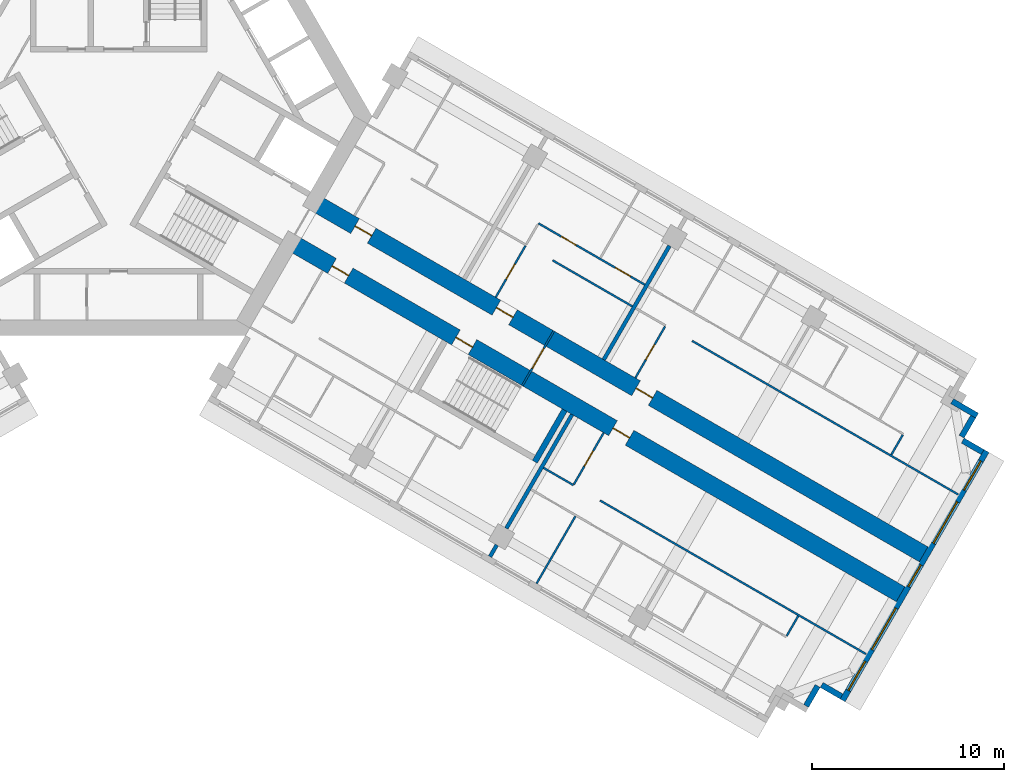
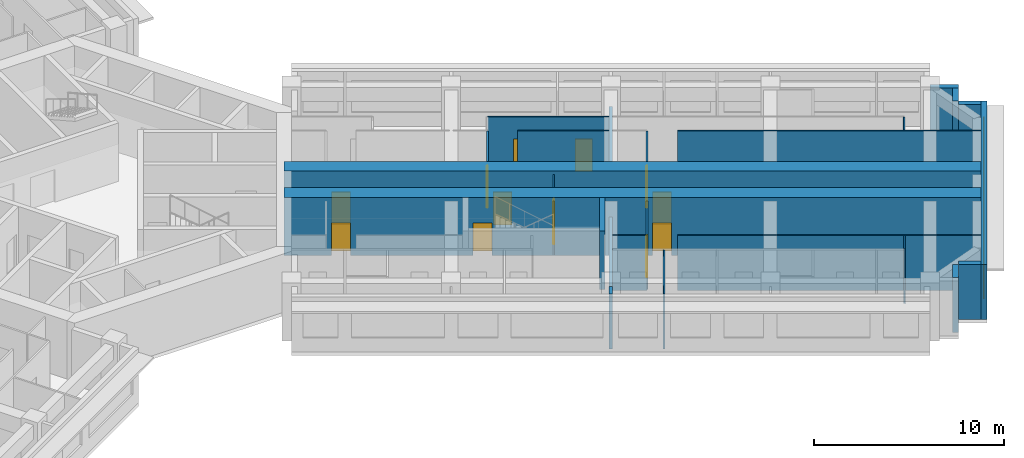
# One storey, part 11 of 14: 24 walls, 12 doors, 5 windows, 17 openings.
"""IFC4 building model written with IfcOpenShell, lengths in metres."""

from ifc_helpers import new_model, si_unit, direction, frame, frame_2d, origin, place, context, subcontext, project, spatial, rectangle, extrude, material, layer, layer_set, type_object, element, fill, save


model = new_model("IFC4")

# Units and contexts
model_context = context("Model", 3, precision=1e-05, world=origin(), true_north=direction((0.0, 1.0)))
body_context = subcontext(model_context, "Body", "Model", "MODEL_VIEW")
ifc_project = project(units=[si_unit("LENGTHUNIT", "METRE"), si_unit("AREAUNIT", "SQUARE_METRE"), si_unit("VOLUMEUNIT", "CUBIC_METRE"), si_unit("PLANEANGLEUNIT", "RADIAN"), si_unit("MASSUNIT", "GRAM", prefix="KILO")], contexts=[model_context])

# Site, building, storey
site_placement = place(None, origin())
site = spatial("IfcSite", under=ifc_project, at=site_placement, CompositionType="ELEMENT")
building_placement = place(site_placement, origin())
building = spatial("IfcBuilding", under=site, at=building_placement, Name="Impinga Residences", CompositionType="ELEMENT")
storey_placement = place(building_placement, frame((0.0, 0.0, 128.5)))
storey = spatial("IfcBuildingStorey", under=building, at=storey_placement, Name="L31", CompositionType="ELEMENT", Elevation=128.5)

# Wall, openings, doors
ifc_material_1 = material(Name="Concrete C60/75", Category="concrete")
ifc_layer_1 = layer(ifc_material_1, 0.89990234375)
ifc_layer_set_1 = layer_set([ifc_layer_1], Name="Concrete C60/75")
wall_type_1 = type_object("IfcWallType", Name="BW2 corridor buttress wall, L24 to L44 900", PredefinedType="SHEAR", material=ifc_layer_set_1)
wall_1_placement = place(storey_placement, frame((10.153564453125, -4.4765625, 0.0), z_axis=(0.0, 0.0, 1.0), x_axis=(0.866027614434, -0.499996171023, 0.0)))
wall_1 = element("IfcWall", 1, at=wall_1_placement, inside=storey, type_object=wall_type_1, Name="Corridor wall BW2 EC L31", PredefinedType="SHEAR", context=body_context, shape_type="SweptSolid", body=[
    extrude(rectangle(XDim=36.699951171875, YDim=0.89990234375, at=frame_2d((18.35009765625, 0.0))), origin(), (0.0, 0.0, 1.0), 3.75),
])
opening_1_placement = place(wall_1_placement, frame((2.5, 0.0, 0.0)))
opening_1 = element("IfcOpeningElement", 2, at=opening_1_placement, cuts=wall_1, Name="Opening D1", PredefinedType="OPENING", context=body_context, shape_type="SweptSolid", body=[
    extrude(rectangle(XDim=1.0, YDim=2.10009765625, at=frame_2d((0.5, 1.050048828125))), frame((0.0, 0.4599609375, 0.0), z_axis=(0.0, -1.0, 0.0), x_axis=(1.0, 0.0, 0.0)), (0.0, 0.0, 1.0), 0.919921875),
])
opening_2_placement = place(wall_1_placement, frame((11.0, 0.0, 0.0)))
opening_2 = element("IfcOpeningElement", 3, at=opening_2_placement, cuts=wall_1, Name="Opening D1", PredefinedType="OPENING", context=body_context, shape_type="SweptSolid", body=[
    extrude(rectangle(XDim=1.0, YDim=2.10009765625, at=frame_2d((0.5, 1.050048828125))), frame((0.0, 0.4599609375, 0.0), z_axis=(0.0, -1.0, 0.0), x_axis=(1.0, 0.0, 0.0)), (0.0, 0.0, 1.0), 0.919921875),
])
opening_3_placement = place(wall_1_placement, frame((19.39990234375, 0.0, 0.0)))
opening_3 = element("IfcOpeningElement", 4, at=opening_3_placement, cuts=wall_1, Name="Opening D1", PredefinedType="OPENING", context=body_context, shape_type="SweptSolid", body=[
    extrude(rectangle(XDim=1.0, YDim=2.10009765625, at=frame_2d((0.5, 1.050048828125))), frame((0.0, 0.4599609375, 0.0), z_axis=(0.0, -1.0, 0.0), x_axis=(1.0, 0.0, 0.0)), (0.0, 0.0, 1.0), 0.919921875),
])
ifc_material_2 = material(Name="Timber door set", Category="wood")
door_type_1 = type_object("IfcDoorType", Name="D1 apartment entrance door 1000x2100", OperationType="SINGLE_SWING_LEFT", PredefinedType="DOOR", material=ifc_material_2)
door_1_placement = place(opening_1_placement, origin())
door_1 = element("IfcDoor", 5, at=door_1_placement, inside=storey, type_object=door_type_1, Name="Apartment L31-EA1 entrance", OperationType="SINGLE_SWING_LEFT", OverallHeight=2.10009765625, OverallWidth=1.0, PredefinedType="DOOR", context=body_context, shape_type="SweptSolid", body=[
    extrude(rectangle(XDim=1.0, YDim=2.10009765625, at=frame_2d((0.5, 1.050048828125))), frame((0.0, 0.02490234375, 0.0), z_axis=(0.0, -1.0, 0.0), x_axis=(1.0, 0.0, 0.0)), (0.0, 0.0, 1.0), 0.050048828125),
])
fill(opening_1, door_1)
door_2_placement = place(opening_2_placement, origin())
door_2 = element("IfcDoor", 6, at=door_2_placement, inside=storey, type_object=door_type_1, Name="Apartment L31-EA2 entrance", OperationType="SINGLE_SWING_LEFT", OverallHeight=2.10009765625, OverallWidth=1.0, PredefinedType="DOOR", context=body_context, shape_type="SweptSolid", body=[
    extrude(rectangle(XDim=1.0, YDim=2.10009765625, at=frame_2d((0.5, 1.050048828125))), frame((0.0, 0.02490234375, 0.0), z_axis=(0.0, -1.0, 0.0), x_axis=(1.0, 0.0, 0.0)), (0.0, 0.0, 1.0), 0.050048828125),
])
fill(opening_2, door_2)
door_3_placement = place(opening_3_placement, origin())
door_3 = element("IfcDoor", 7, at=door_3_placement, inside=storey, type_object=door_type_1, Name="Apartment L31-EA3 entrance", OperationType="SINGLE_SWING_RIGHT", OverallHeight=2.10009765625, OverallWidth=1.0, PredefinedType="DOOR", context=body_context, shape_type="SweptSolid", body=[
    extrude(rectangle(XDim=1.0, YDim=2.10009765625, at=frame_2d((0.5, 1.050048828125))), frame((0.0, 0.02490234375, 0.0), z_axis=(0.0, -1.0, 0.0), x_axis=(1.0, 0.0, 0.0)), (0.0, 0.0, 1.0), 0.050048828125),
])
fill(opening_3, door_3)

wall_2_placement = place(storey_placement, frame((8.95361328125, -6.554931640625, 0.0), z_axis=(0.0, 0.0, 1.0), x_axis=(0.866024733898, -0.500001160275, 0.0)))
wall_2 = element("IfcWall", 8, at=wall_2_placement, inside=storey, type_object=wall_type_1, Name="Corridor wall BW2 ED L31", PredefinedType="SHEAR", context=body_context, shape_type="SweptSolid", body=[
    extrude(rectangle(XDim=36.7001953125, YDim=0.89990234375, at=frame_2d((18.35009765625, 0.0))), origin(), (0.0, 0.0, 1.0), 3.75),
])
opening_4_placement = place(wall_2_placement, frame((9.949951171875, 0.0, 0.0)))
opening_4 = element("IfcOpeningElement", 9, at=opening_4_placement, cuts=wall_2, Name="Opening D5", PredefinedType="OPENING", context=body_context, shape_type="SweptSolid", body=[
    extrude(rectangle(XDim=1.0, YDim=2.10009765625, at=frame_2d((0.5, 1.050048828125))), frame((0.0, 0.4599609375, 0.0), z_axis=(0.0, -1.0, 0.0), x_axis=(1.0, 0.0, 0.0)), (0.0, 0.0, 1.0), 0.919921875),
])
opening_5_placement = place(wall_2_placement, frame((2.5, 0.0, 0.0)))
opening_5 = element("IfcOpeningElement", 10, at=opening_5_placement, cuts=wall_2, Name="Opening D1", PredefinedType="OPENING", context=body_context, shape_type="SweptSolid", body=[
    extrude(rectangle(XDim=1.0, YDim=2.10009765625, at=frame_2d((0.5, 1.050048828125))), frame((0.0, 0.4599609375, 0.0), z_axis=(0.0, -1.0, 0.0), x_axis=(1.0, 0.0, 0.0)), (0.0, 0.0, 1.0), 0.919921875),
])
opening_6_placement = place(wall_2_placement, frame((19.39990234375, 0.0, 0.0)))
opening_6 = element("IfcOpeningElement", 11, at=opening_6_placement, cuts=wall_2, Name="Opening D1", PredefinedType="OPENING", context=body_context, shape_type="SweptSolid", body=[
    extrude(rectangle(XDim=1.0, YDim=2.10009765625, at=frame_2d((0.5, 1.050048828125))), frame((0.0, 0.4599609375, 0.0), z_axis=(0.0, -1.0, 0.0), x_axis=(1.0, 0.0, 0.0)), (0.0, 0.0, 1.0), 0.919921875),
])
door_4_placement = place(opening_5_placement, origin())
door_4 = element("IfcDoor", 12, at=door_4_placement, inside=storey, type_object=door_type_1, Name="Apartment L31-EF1 entrance", OperationType="SINGLE_SWING_LEFT", OverallHeight=2.10009765625, OverallWidth=1.0, PredefinedType="DOOR", context=body_context, shape_type="SweptSolid", body=[
    extrude(rectangle(XDim=1.0, YDim=2.10009765625, at=frame_2d((0.5, 1.050048828125))), frame((0.0, 0.02490234375, 0.0), z_axis=(0.0, -1.0, 0.0), x_axis=(1.0, 0.0, 0.0)), (0.0, 0.0, 1.0), 0.050048828125),
])
fill(opening_5, door_4)
door_5_placement = place(opening_6_placement, origin())
door_5 = element("IfcDoor", 13, at=door_5_placement, inside=storey, type_object=door_type_1, Name="Apartment L31-EF2 entrance", OperationType="SINGLE_SWING_RIGHT", OverallHeight=2.10009765625, OverallWidth=1.0, PredefinedType="DOOR", context=body_context, shape_type="SweptSolid", body=[
    extrude(rectangle(XDim=1.0, YDim=2.10009765625, at=frame_2d((0.5, 1.050048828125))), frame((0.0, 0.02490234375, 0.0), z_axis=(0.0, -1.0, 0.0), x_axis=(1.0, 0.0, 0.0)), (0.0, 0.0, 1.0), 0.050048828125),
])
fill(opening_6, door_5)
door_type_2 = type_object("IfcDoorType", Name="D5 stair door 1000x2100", OperationType="SINGLE_SWING_LEFT", PredefinedType="DOOR", material=ifc_material_2)
door_6_placement = place(opening_4_placement, origin())
door_6 = element("IfcDoor", 14, at=door_6_placement, inside=storey, type_object=door_type_2, Name="Wing stair door E", OperationType="SINGLE_SWING_LEFT", OverallHeight=2.10009765625, OverallWidth=1.0, PredefinedType="DOOR", context=body_context, shape_type="SweptSolid", body=[
    extrude(rectangle(XDim=1.0, YDim=2.10009765625, at=frame_2d((0.5, 1.050048828125))), frame((0.0, 0.02490234375, 0.0), z_axis=(0.0, -1.0, 0.0), x_axis=(1.0, 0.0, 0.0)), (0.0, 0.0, 1.0), 0.050048828125),
])
fill(opening_4, door_6)

# Wall, opening, door
ifc_material_3 = material(Name="Concrete blockwork", Category="masonry")
ifc_layer_2 = layer(ifc_material_3, 0.10009765625)
ifc_layer_set_2 = layer_set([ifc_layer_2], Name="CP1 core room partition, blockwork 100")
wall_type_2 = type_object("IfcWallType", Name="CP1 core room partition, blockwork 100", PredefinedType="PARTITIONING", material=ifc_layer_set_2)
wall_3_placement = place(storey_placement, frame((22.67626953125, -11.186767578125, 0.0), z_axis=(0.0, 0.0, 1.0), x_axis=(-0.50002983664, -0.866008176907, 0.0)))
wall_3 = element("IfcWall", 15, at=wall_3_placement, inside=storey, type_object=wall_type_2, Name="Core room partition, blockwork L31:E:PLB", PredefinedType="PARTITIONING", context=body_context, shape_type="SweptSolid", body=[
    extrude(rectangle(XDim=3.300048828125, YDim=0.10009765625, at=frame_2d((1.64990234375, 0.0))), origin(), (0.0, 0.0, 1.0), 3.530029296875),
])
opening_7_placement = place(wall_3_placement, frame((1.050048828125, 0.0, 0.0)))
opening_7 = element("IfcOpeningElement", 16, at=opening_7_placement, cuts=wall_3, Name="Opening D3", PredefinedType="OPENING", context=body_context, shape_type="SweptSolid", body=[
    extrude(rectangle(XDim=1.199951171875, YDim=2.10009765625, at=frame_2d((0.60009765625, 1.050048828125))), frame((0.0, 0.06005859375, 0.0), z_axis=(0.0, -1.0, 0.0), x_axis=(1.0, 0.0, 0.0)), (0.0, 0.0, 1.0), 0.1201171875),
])
door_type_3 = type_object("IfcDoorType", Name="D3 room door, leaf and a half 1200x2100", OperationType="DOUBLE_SWING_LEFT", PredefinedType="DOOR", material=ifc_material_2)
door_7_placement = place(opening_7_placement, origin())
door_7 = element("IfcDoor", 17, at=door_7_placement, inside=storey, type_object=door_type_3, Name="Private lobby door E", OperationType="DOUBLE_SWING_LEFT", OverallHeight=2.10009765625, OverallWidth=1.199951171875, PredefinedType="DOOR", context=body_context, shape_type="SweptSolid", body=[
    extrude(rectangle(XDim=1.199951171875, YDim=2.10009765625, at=frame_2d((0.60009765625, 1.050048828125))), frame((0.0, 0.02490234375, 0.0), z_axis=(0.0, -1.0, 0.0), x_axis=(1.0, 0.0, 0.0)), (0.0, 0.0, 1.0), 0.050048828125),
])
fill(opening_7, door_7)

# Walls
ifc_material_4 = material(Name="Terracotta rainscreen on blockwork", Category="masonry")
ifc_layer_3 = layer(ifc_material_4, 0.300048828125)
ifc_layer_set_3 = layer_set([ifc_layer_3], Name="EW1 external wall, terracotta rainscreen on blockwork 300")
wall_type_3 = type_object("IfcWallType", Name="EW1 external wall, terracotta rainscreen on blockwork 300", PredefinedType="SOLIDWALL", material=ifc_layer_set_3)
wall_4_placement = place(storey_placement, frame((43.42333984375, -14.8515625, 0.0), z_axis=(0.0, 0.0, 1.0), x_axis=(0.866031096941, -0.499990139034, 0.0)))
element("IfcWall", 18, at=wall_4_placement, inside=storey, type_object=wall_type_3, Name="External wall EW1 L31", PredefinedType="SOLIDWALL", context=body_context, shape_type="SweptSolid", body=[
    extrude(rectangle(XDim=1.5, YDim=0.300048828125, at=frame_2d((0.75, 0.0))), origin(), (0.0, 0.0, 1.0), 3.530029296875),
])
wall_5_placement = place(storey_placement, frame((44.517578125, -15.65625, 0.0), z_axis=(0.0, 0.0, 1.0), x_axis=(-0.500033551112, -0.866006032174, 0.0)))
element("IfcWall", 19, at=wall_5_placement, inside=storey, type_object=wall_type_3, Name="External wall EW1 L31", PredefinedType="SOLIDWALL", context=body_context, shape_type="SweptSolid", body=[
    extrude(rectangle(XDim=1.2001953125, YDim=0.300048828125, at=frame_2d((0.60009765625, 0.0))), origin(), (0.0, 0.0, 1.0), 3.530029296875),
])
wall_6_placement = place(storey_placement, frame((43.976806640625, -16.903076171875, 0.0), z_axis=(0.0, 0.0, 1.0), x_axis=(0.866059708757, -0.499940577336, 0.0)))
element("IfcWall", 20, at=wall_6_placement, inside=storey, type_object=wall_type_3, Name="External wall EW1 L31", PredefinedType="SOLIDWALL", context=body_context, shape_type="SweptSolid", body=[
    extrude(rectangle(XDim=1.195068359375, YDim=0.300048828125, at=frame_2d((0.59765625, 0.0))), origin(), (0.0, 0.0, 1.0), 3.530029296875),
])

# Wall, openings, windows
wall_7_placement = place(storey_placement, frame((45.216552734375, -17.445556640625, 0.0), z_axis=(0.0, 0.0, 1.0), x_axis=(-0.499997186618, -0.866027028085, 0.0)))
wall_7 = element("IfcWall", 21, at=wall_7_placement, inside=storey, type_object=wall_type_3, Name="External wall EW1 L31", PredefinedType="SOLIDWALL", context=body_context, shape_type="SweptSolid", body=[
    extrude(rectangle(XDim=15.0, YDim=0.300048828125, at=frame_2d((7.5, 0.0))), origin(), (0.0, 0.0, 1.0), 3.530029296875),
])
opening_8_placement = place(wall_7_placement, frame((0.60009765625, 0.0, 0.89990234375)))
opening_8 = element("IfcOpeningElement", 22, at=opening_8_placement, cuts=wall_7, Name="Opening W1", PredefinedType="OPENING", context=body_context, shape_type="SweptSolid", body=[
    extrude(rectangle(XDim=1.75, YDim=2.050048828125, at=frame_2d((0.875, 1.02490234375))), frame((0.0, 0.159912109375, 0.0), z_axis=(0.0, -1.0, 0.0), x_axis=(1.0, 0.0, 0.0)), (0.0, 0.0, 1.0), 0.320068359375),
])
opening_9_placement = place(wall_7_placement, frame((3.050048828125, 0.0, 0.89990234375)))
opening_9 = element("IfcOpeningElement", 23, at=opening_9_placement, cuts=wall_7, Name="Opening W2", PredefinedType="OPENING", context=body_context, shape_type="SweptSolid", body=[
    extrude(rectangle(XDim=2.5, YDim=2.050048828125, at=frame_2d((1.25, 1.02490234375))), frame((0.0, 0.159912109375, 0.0), z_axis=(0.0, -1.0, 0.0), x_axis=(1.0, 0.0, 0.0)), (0.0, 0.0, 1.0), 0.320068359375),
])
opening_10_placement = place(wall_7_placement, frame((6.85009765625, 0.0, 0.89990234375)))
opening_10 = element("IfcOpeningElement", 24, at=opening_10_placement, cuts=wall_7, Name="Opening W17", PredefinedType="OPENING", context=body_context, shape_type="SweptSolid", body=[
    extrude(rectangle(XDim=1.300048828125, YDim=2.050048828125, at=frame_2d((0.64990234375, 1.02490234375))), frame((0.0, 0.159912109375, 0.0), z_axis=(0.0, -1.0, 0.0), x_axis=(1.0, 0.0, 0.0)), (0.0, 0.0, 1.0), 0.320068359375),
])
opening_11_placement = place(wall_7_placement, frame((9.449951171875, 0.0, 0.89990234375)))
opening_11 = element("IfcOpeningElement", 25, at=opening_11_placement, cuts=wall_7, Name="Opening W2", PredefinedType="OPENING", context=body_context, shape_type="SweptSolid", body=[
    extrude(rectangle(XDim=2.5, YDim=2.050048828125, at=frame_2d((1.25, 1.02490234375))), frame((0.0, 0.159912109375, 0.0), z_axis=(0.0, -1.0, 0.0), x_axis=(1.0, 0.0, 0.0)), (0.0, 0.0, 1.0), 0.320068359375),
])
opening_12_placement = place(wall_7_placement, frame((12.64990234375, 0.0, 0.89990234375)))
opening_12 = element("IfcOpeningElement", 26, at=opening_12_placement, cuts=wall_7, Name="Opening W1", PredefinedType="OPENING", context=body_context, shape_type="SweptSolid", body=[
    extrude(rectangle(XDim=1.75, YDim=2.050048828125, at=frame_2d((0.875, 1.02490234375))), frame((0.0, 0.159912109375, 0.0), z_axis=(0.0, -1.0, 0.0), x_axis=(1.0, 0.0, 0.0)), (0.0, 0.0, 1.0), 0.320068359375),
])
ifc_material_5 = material(Name="Aluminium window, clear double glazing", Category="aluminium")
window_type_1 = type_object("IfcWindowType", Name="W1 ribbon window 1750x2050", PartitioningType="SINGLE_PANEL", PredefinedType="WINDOW", material=ifc_material_5)
window_1_placement = place(opening_8_placement, origin())
window_1 = element("IfcWindow", 27, at=window_1_placement, inside=storey, type_object=window_type_1, Name="Window L31", OverallHeight=2.050048828125, OverallWidth=1.75, PartitioningType="SINGLE_PANEL", PredefinedType="WINDOW", context=body_context, shape_type="SweptSolid", body=[
    extrude(rectangle(XDim=1.75, YDim=2.050048828125, at=frame_2d((0.875, 1.02490234375))), frame((0.0, 0.030029296875, 0.0), z_axis=(0.0, -1.0, 0.0), x_axis=(1.0, 0.0, 0.0)), (0.0, 0.0, 1.0), 0.06005859375),
])
fill(opening_8, window_1)
window_2_placement = place(opening_12_placement, origin())
window_2 = element("IfcWindow", 28, at=window_2_placement, inside=storey, type_object=window_type_1, Name="Window L31", OverallHeight=2.050048828125, OverallWidth=1.75, PartitioningType="SINGLE_PANEL", PredefinedType="WINDOW", context=body_context, shape_type="SweptSolid", body=[
    extrude(rectangle(XDim=1.75, YDim=2.050048828125, at=frame_2d((0.875, 1.02490234375))), frame((0.0, 0.030029296875, 0.0), z_axis=(0.0, -1.0, 0.0), x_axis=(1.0, 0.0, 0.0)), (0.0, 0.0, 1.0), 0.06005859375),
])
fill(opening_12, window_2)
window_type_2 = type_object("IfcWindowType", Name="W17 ribbon window 1300x2050", PartitioningType="SINGLE_PANEL", PredefinedType="WINDOW", material=ifc_material_5)
window_3_placement = place(opening_10_placement, origin())
window_3 = element("IfcWindow", 29, at=window_3_placement, inside=storey, type_object=window_type_2, Name="Window L31", OverallHeight=2.050048828125, OverallWidth=1.300048828125, PartitioningType="SINGLE_PANEL", PredefinedType="WINDOW", context=body_context, shape_type="SweptSolid", body=[
    extrude(rectangle(XDim=1.300048828125, YDim=2.050048828125, at=frame_2d((0.64990234375, 1.02490234375))), frame((0.0, 0.030029296875, 0.0), z_axis=(0.0, -1.0, 0.0), x_axis=(1.0, 0.0, 0.0)), (0.0, 0.0, 1.0), 0.06005859375),
])
fill(opening_10, window_3)
window_type_3 = type_object("IfcWindowType", Name="W2 ribbon window 2500x2050", PartitioningType="SINGLE_PANEL", PredefinedType="WINDOW", material=ifc_material_5)
window_4_placement = place(opening_9_placement, origin())
window_4 = element("IfcWindow", 30, at=window_4_placement, inside=storey, type_object=window_type_3, Name="Window L31", OverallHeight=2.050048828125, OverallWidth=2.5, PartitioningType="SINGLE_PANEL", PredefinedType="WINDOW", context=body_context, shape_type="SweptSolid", body=[
    extrude(rectangle(XDim=2.5, YDim=2.050048828125, at=frame_2d((1.25, 1.02490234375))), frame((0.0, 0.030029296875, 0.0), z_axis=(0.0, -1.0, 0.0), x_axis=(1.0, 0.0, 0.0)), (0.0, 0.0, 1.0), 0.06005859375),
])
fill(opening_9, window_4)
window_5_placement = place(opening_11_placement, origin())
window_5 = element("IfcWindow", 31, at=window_5_placement, inside=storey, type_object=window_type_3, Name="Window L31", OverallHeight=2.050048828125, OverallWidth=2.5, PartitioningType="SINGLE_PANEL", PredefinedType="WINDOW", context=body_context, shape_type="SweptSolid", body=[
    extrude(rectangle(XDim=2.5, YDim=2.050048828125, at=frame_2d((1.25, 1.02490234375))), frame((0.0, 0.030029296875, 0.0), z_axis=(0.0, -1.0, 0.0), x_axis=(1.0, 0.0, 0.0)), (0.0, 0.0, 1.0), 0.06005859375),
])
fill(opening_11, window_5)

# Walls
wall_8_placement = place(storey_placement, frame((37.66162109375, -30.23095703125, 0.0), z_axis=(0.0, 0.0, 1.0), x_axis=(-0.866059708757, 0.499940577336, 0.0)))
element("IfcWall", 32, at=wall_8_placement, inside=storey, type_object=wall_type_3, Name="External wall EW1 L31", PredefinedType="SOLIDWALL", context=body_context, shape_type="SweptSolid", body=[
    extrude(rectangle(XDim=1.195068359375, YDim=0.300048828125, at=frame_2d((0.59765625, 0.0))), origin(), (0.0, 0.0, 1.0), 3.530029296875),
])
wall_9_placement = place(storey_placement, frame((36.41748046875, -29.68603515625, 0.0), z_axis=(0.0, 0.0, 1.0), x_axis=(-0.499969057507, -0.866043267704, 0.0)))
element("IfcWall", 33, at=wall_9_placement, inside=storey, type_object=wall_type_3, Name="External wall EW1 L31", PredefinedType="SOLIDWALL", context=body_context, shape_type="SweptSolid", body=[
    extrude(rectangle(XDim=1.19970703125, YDim=0.300048828125, at=frame_2d((0.599853515625, 0.0))), origin(), (0.0, 0.0, 1.0), 3.530029296875),
])
ifc_material_6 = material(Name="Gypsum board on steel studs", Category="steel")
ifc_layer_4 = layer(ifc_material_6, 0.10009765625)
ifc_layer_set_4 = layer_set([ifc_layer_4], Name="Gypsum board on steel studs")
wall_type_4 = type_object("IfcWallType", Name="IP1 partition 100", PredefinedType="PARTITIONING", material=ifc_layer_set_4)
wall_10_placement = place(storey_placement, frame((22.605712890625, -7.5087890625, 0.0), z_axis=(0.0, 0.0, 1.0), x_axis=(0.866015339567, -0.500017431331, 0.0)))
element("IfcWall", 34, at=wall_10_placement, inside=storey, type_object=wall_type_4, Name="Partition L31-EA2:DIV1", PredefinedType="PARTITIONING", context=body_context, shape_type="SweptSolid", body=[
    extrude(rectangle(XDim=4.800048828125, YDim=0.10009765625, at=frame_2d((2.39990234375, 0.0))), origin(), (0.0, 0.0, 1.0), 3.530029296875),
])

# Wall, openings, doors
wall_11_placement = place(storey_placement, frame((21.8701171875, -5.5830078125, 0.0), z_axis=(0.0, 0.0, 1.0), x_axis=(0.866025499775, -0.499999833739, 0.0)))
wall_11 = element("IfcWall", 35, at=wall_11_placement, inside=storey, type_object=wall_type_4, Name="Partition L31-EA2:STRIP", PredefinedType="PARTITIONING", context=body_context, shape_type="SweptSolid", body=[
    extrude(rectangle(XDim=6.39990234375, YDim=0.10009765625, at=frame_2d((3.199951171875, 0.0))), origin(), (0.0, 0.0, 1.0), 3.530029296875),
])
opening_13_placement = place(wall_11_placement, frame((1.375, 0.0, 0.0)))
opening_13 = element("IfcOpeningElement", 36, at=opening_13_placement, cuts=wall_11, Name="Opening D2", PredefinedType="OPENING", context=body_context, shape_type="SweptSolid", body=[
    extrude(rectangle(XDim=0.89990234375, YDim=2.10009765625, at=frame_2d((0.449951171875, 1.050048828125))), frame((0.0, 0.06005859375, 0.0), z_axis=(0.0, -1.0, 0.0), x_axis=(1.0, 0.0, 0.0)), (0.0, 0.0, 1.0), 0.1201171875),
])
opening_14_placement = place(wall_11_placement, frame((4.625, 0.0, 0.0)))
opening_14 = element("IfcOpeningElement", 37, at=opening_14_placement, cuts=wall_11, Name="Opening D2", PredefinedType="OPENING", context=body_context, shape_type="SweptSolid", body=[
    extrude(rectangle(XDim=0.89990234375, YDim=2.10009765625, at=frame_2d((0.449951171875, 1.050048828125))), frame((0.0, 0.06005859375, 0.0), z_axis=(0.0, -1.0, 0.0), x_axis=(1.0, 0.0, 0.0)), (0.0, 0.0, 1.0), 0.1201171875),
])
door_type_4 = type_object("IfcDoorType", Name="D2 internal door 900x2100", OperationType="SINGLE_SWING_LEFT", PredefinedType="DOOR", material=ifc_material_2)
door_8_placement = place(opening_13_placement, origin())
door_8 = element("IfcDoor", 38, at=door_8_placement, inside=storey, type_object=door_type_4, Name="Apartment L31-EA2 room door", OperationType="SINGLE_SWING_LEFT", OverallHeight=2.10009765625, OverallWidth=0.89990234375, PredefinedType="DOOR", context=body_context, shape_type="SweptSolid", body=[
    extrude(rectangle(XDim=0.89990234375, YDim=2.10009765625, at=frame_2d((0.449951171875, 1.050048828125))), frame((0.0, 0.02490234375, 0.0), z_axis=(0.0, -1.0, 0.0), x_axis=(1.0, 0.0, 0.0)), (0.0, 0.0, 1.0), 0.050048828125),
])
fill(opening_13, door_8)
door_9_placement = place(opening_14_placement, origin())
door_9 = element("IfcDoor", 39, at=door_9_placement, inside=storey, type_object=door_type_4, Name="Apartment L31-EA2 room door", OperationType="SINGLE_SWING_RIGHT", OverallHeight=2.10009765625, OverallWidth=0.89990234375, PredefinedType="DOOR", context=body_context, shape_type="SweptSolid", body=[
    extrude(rectangle(XDim=0.89990234375, YDim=2.10009765625, at=frame_2d((0.449951171875, 1.050048828125))), frame((0.0, 0.02490234375, 0.0), z_axis=(0.0, -1.0, 0.0), x_axis=(1.0, 0.0, 0.0)), (0.0, 0.0, 1.0), 0.050048828125),
])
fill(opening_14, door_9)

# Wall, opening, door
wall_12_placement = place(storey_placement, frame((19.64501953125, -9.436767578125, 0.0), z_axis=(0.0, 0.0, 1.0), x_axis=(0.500026960575, 0.86600983753, 0.0)))
wall_12 = element("IfcWall", 40, at=wall_12_placement, inside=storey, type_object=wall_type_4, Name="Partition L31-EA2:IB1", PredefinedType="PARTITIONING", context=body_context, shape_type="SweptSolid", body=[
    extrude(rectangle(XDim=3.099853515625, YDim=0.10009765625, at=frame_2d((1.5498046875, 0.0))), origin(), (0.0, 0.0, 1.0), 3.530029296875),
])
opening_15_placement = place(wall_12_placement, frame((1.10009765625, 0.0, 0.0)))
opening_15 = element("IfcOpeningElement", 41, at=opening_15_placement, cuts=wall_12, Name="Opening D2", PredefinedType="OPENING", context=body_context, shape_type="SweptSolid", body=[
    extrude(rectangle(XDim=0.89990234375, YDim=2.10009765625, at=frame_2d((0.449951171875, 1.050048828125))), frame((0.0, 0.06005859375, 0.0), z_axis=(0.0, -1.0, 0.0), x_axis=(1.0, 0.0, 0.0)), (0.0, 0.0, 1.0), 0.1201171875),
])
door_10_placement = place(opening_15_placement, origin())
door_10 = element("IfcDoor", 42, at=door_10_placement, inside=storey, type_object=door_type_4, Name="Apartment L31-EA2 bathroom door", OperationType="SINGLE_SWING_LEFT", OverallHeight=2.10009765625, OverallWidth=0.89990234375, PredefinedType="DOOR", context=body_context, shape_type="SweptSolid", body=[
    extrude(rectangle(XDim=0.89990234375, YDim=2.10009765625, at=frame_2d((0.449951171875, 1.050048828125))), frame((0.0, 0.02490234375, 0.0), z_axis=(0.0, -1.0, 0.0), x_axis=(1.0, 0.0, 0.0)), (0.0, 0.0, 1.0), 0.050048828125),
])
fill(opening_15, door_10)

# Walls
wall_13_placement = place(storey_placement, frame((29.88037109375, -11.708740234375, 0.0), z_axis=(0.0, 0.0, 1.0), x_axis=(0.866026010844, -0.49999894854, 0.0)))
element("IfcWall", 43, at=wall_13_placement, inside=storey, type_object=wall_type_4, Name="Partition L31-EA3:DIV1", PredefinedType="PARTITIONING", context=body_context, shape_type="SweptSolid", body=[
    extrude(rectangle(XDim=16.0, YDim=0.10009765625, at=frame_2d((8.0, 0.0))), origin(), (0.0, 0.0, 1.0), 3.530029296875),
])
wall_14_placement = place(storey_placement, frame((40.25439453125, -17.640625, 0.0), z_axis=(0.0, 0.0, 1.0), x_axis=(0.499880961361, 0.866094119867, 0.0)))
element("IfcWall", 44, at=wall_14_placement, inside=storey, type_object=wall_type_4, Name="Partition L31-EA3:SE1", PredefinedType="PARTITIONING", context=body_context, shape_type="SweptSolid", body=[
    extrude(rectangle(XDim=1.199951171875, YDim=0.10009765625, at=frame_2d((0.60009765625, 0.0))), origin(), (0.0, 0.0, 1.0), 3.530029296875),
])

# Wall, opening, door
wall_15_placement = place(storey_placement, frame((26.919677734375, -13.63671875, 0.0), z_axis=(0.0, 0.0, 1.0), x_axis=(0.500026960575, 0.86600983753, 0.0)))
wall_15 = element("IfcWall", 45, at=wall_15_placement, inside=storey, type_object=wall_type_4, Name="Partition L31-EA3:IB1", PredefinedType="PARTITIONING", context=body_context, shape_type="SweptSolid", body=[
    extrude(rectangle(XDim=3.099853515625, YDim=0.10009765625, at=frame_2d((1.5498046875, 0.0))), origin(), (0.0, 0.0, 1.0), 3.530029296875),
])
opening_16_placement = place(wall_15_placement, frame((1.10009765625, 0.0, 0.0)))
opening_16 = element("IfcOpeningElement", 46, at=opening_16_placement, cuts=wall_15, Name="Opening D2", PredefinedType="OPENING", context=body_context, shape_type="SweptSolid", body=[
    extrude(rectangle(XDim=0.89990234375, YDim=2.10009765625, at=frame_2d((0.449951171875, 1.050048828125))), frame((0.0, 0.06005859375, 0.0), z_axis=(0.0, -1.0, 0.0), x_axis=(1.0, 0.0, 0.0)), (0.0, 0.0, 1.0), 0.1201171875),
])
door_11_placement = place(opening_16_placement, origin())
door_11 = element("IfcDoor", 47, at=door_11_placement, inside=storey, type_object=door_type_4, Name="Apartment L31-EA3 bathroom door", OperationType="SINGLE_SWING_LEFT", OverallHeight=2.10009765625, OverallWidth=0.89990234375, PredefinedType="DOOR", context=body_context, shape_type="SweptSolid", body=[
    extrude(rectangle(XDim=0.89990234375, YDim=2.10009765625, at=frame_2d((0.449951171875, 1.050048828125))), frame((0.0, 0.02490234375, 0.0), z_axis=(0.0, -1.0, 0.0), x_axis=(1.0, 0.0, 0.0)), (0.0, 0.0, 1.0), 0.050048828125),
])
fill(opening_16, door_11)

# Walls
wall_16_placement = place(storey_placement, frame((22.1357421875, -18.32275390625, 0.0), z_axis=(0.0, 0.0, 1.0), x_axis=(0.866047807691, -0.499961193289, 0.0)))
element("IfcWall", 48, at=wall_16_placement, inside=storey, type_object=wall_type_4, Name="Partition L31-EF2:DIV0", PredefinedType="PARTITIONING", context=body_context, shape_type="SweptSolid", body=[
    extrude(rectangle(XDim=1.800048828125, YDim=0.10009765625, at=frame_2d((0.89990234375, 0.0))), origin(), (0.0, 0.0, 1.0), 3.530029296875),
])
wall_17_placement = place(storey_placement, frame((25.080322265625, -20.022705078125, 0.0), z_axis=(0.0, 0.0, 1.0), x_axis=(0.866026010844, -0.49999894854, 0.0)))
element("IfcWall", 49, at=wall_17_placement, inside=storey, type_object=wall_type_4, Name="Partition L31-EF2:DIV1", PredefinedType="PARTITIONING", context=body_context, shape_type="SweptSolid", body=[
    extrude(rectangle(XDim=16.0, YDim=0.10009765625, at=frame_2d((8.0, 0.0))), origin(), (0.0, 0.0, 1.0), 3.530029296875),
])
wall_18_placement = place(storey_placement, frame((35.404296875, -26.041015625, 0.0), z_axis=(0.0, 0.0, 1.0), x_axis=(-0.500033551112, -0.866006032174, 0.0)))
element("IfcWall", 50, at=wall_18_placement, inside=storey, type_object=wall_type_4, Name="Partition L31-EF2:SE1", PredefinedType="PARTITIONING", context=body_context, shape_type="SweptSolid", body=[
    extrude(rectangle(XDim=1.2001953125, YDim=0.10009765625, at=frame_2d((0.60009765625, 0.0))), origin(), (0.0, 0.0, 1.0), 3.530029296875),
])

# Wall, opening, door
wall_19_placement = place(storey_placement, frame((25.269775390625, -16.49462890625, 0.0), z_axis=(0.0, 0.0, 1.0), x_axis=(-0.49999285859, -0.86602952684, 0.0)))
wall_19 = element("IfcWall", 51, at=wall_19_placement, inside=storey, type_object=wall_type_4, Name="Partition L31-EF2:IB1", PredefinedType="PARTITIONING", context=body_context, shape_type="SweptSolid", body=[
    extrude(rectangle(XDim=3.10009765625, YDim=0.10009765625, at=frame_2d((1.550048828125, 0.0))), origin(), (0.0, 0.0, 1.0), 3.530029296875),
])
opening_17_placement = place(wall_19_placement, frame((1.10009765625, 0.0, 0.0)))
opening_17 = element("IfcOpeningElement", 52, at=opening_17_placement, cuts=wall_19, Name="Opening D2", PredefinedType="OPENING", context=body_context, shape_type="SweptSolid", body=[
    extrude(rectangle(XDim=0.89990234375, YDim=2.10009765625, at=frame_2d((0.449951171875, 1.050048828125))), frame((0.0, 0.06005859375, 0.0), z_axis=(0.0, -1.0, 0.0), x_axis=(1.0, 0.0, 0.0)), (0.0, 0.0, 1.0), 0.1201171875),
])
door_12_placement = place(opening_17_placement, origin())
door_12 = element("IfcDoor", 53, at=door_12_placement, inside=storey, type_object=door_type_4, Name="Apartment L31-EF2 bathroom door", OperationType="SINGLE_SWING_LEFT", OverallHeight=2.10009765625, OverallWidth=0.89990234375, PredefinedType="DOOR", context=body_context, shape_type="SweptSolid", body=[
    extrude(rectangle(XDim=0.89990234375, YDim=2.10009765625, at=frame_2d((0.449951171875, 1.050048828125))), frame((0.0, 0.02490234375, 0.0), z_axis=(0.0, -1.0, 0.0), x_axis=(1.0, 0.0, 0.0)), (0.0, 0.0, 1.0), 0.050048828125),
])
fill(opening_17, door_12)

# Walls
wall_20_placement = place(storey_placement, frame((23.799072265625, -20.841796875, 0.0), z_axis=(0.0, 0.0, 1.0), x_axis=(-0.499990325971, -0.866030989016, 0.0)))
element("IfcWall", 54, at=wall_20_placement, inside=storey, type_object=wall_type_4, Name="Partition L31-EF2:OB1", PredefinedType="PARTITIONING", context=body_context, shape_type="SweptSolid", body=[
    extrude(rectangle(XDim=4.0498046875, YDim=0.10009765625, at=frame_2d((2.02490234375, 0.0))), origin(), (0.0, 0.0, 1.0), 3.530029296875),
])
ifc_layer_5 = layer(ifc_material_3, 0.199951171875)
ifc_layer_set_5 = layer_set([ifc_layer_5], Name="PW1 party wall between apartments 200")
wall_type_5 = type_object("IfcWallType", Name="PW1 party wall between apartments 200", PredefinedType="SOLIDWALL", material=ifc_layer_set_5)
wall_21_placement = place(storey_placement, frame((25.274169921875, -12.686767578125, 0.0), z_axis=(0.0, 0.0, 1.0), x_axis=(0.500014519185, 0.866017020967, 0.0)))
element("IfcWall", 55, at=wall_21_placement, inside=storey, type_object=wall_type_5, Name="Party wall between apartments L31-EA2:PARTY", PredefinedType="SOLIDWALL", context=body_context, shape_type="SweptSolid", body=[
    extrude(rectangle(XDim=6.849853515625, YDim=0.199951171875, at=frame_2d((3.4248046875, 0.0))), origin(), (0.0, 0.0, 1.0), 2.47998046875),
])
wall_22_placement = place(storey_placement, frame((23.624267578125, -15.544677734375, 0.0), z_axis=(0.0, 0.0, 1.0), x_axis=(-0.499999086063, -0.866025931445, 0.0)))
element("IfcWall", 56, at=wall_22_placement, inside=storey, type_object=wall_type_5, Name="Party wall between apartments L31-EF1:PARTY", PredefinedType="SOLIDWALL", context=body_context, shape_type="SweptSolid", body=[
    extrude(rectangle(XDim=6.85009765625, YDim=0.199951171875, at=frame_2d((3.425048828125, 0.0))), origin(), (0.0, 0.0, 1.0), 2.47998046875),
])
wall_23_placement = place(storey_placement, frame((19.69921875, -22.343017578125, 0.0), z_axis=(0.0, 0.0, 1.0), x_axis=(-0.500114896893, -0.865959057869, 0.0)))
element("IfcWall", 57, at=wall_23_placement, inside=storey, type_object=wall_type_5, Name="Party wall between apartments L31-EF1:PARTYb", PredefinedType="SOLIDWALL", context=body_context, shape_type="SweptSolid", body=[
    extrude(rectangle(XDim=0.699951171875, YDim=0.199951171875, at=frame_2d((0.35009765625, 0.0))), origin(), (0.0, 0.0, 1.0), 3.530029296875),
])
ifc_layer_6 = layer(ifc_material_1, 0.300048828125)
ifc_layer_set_6 = layer_set([ifc_layer_6], Name="Concrete C60/75")
wall_type_6 = type_object("IfcWallType", Name="SE1 wing stair enclosure wall 300", PredefinedType="SOLIDWALL", material=ifc_layer_set_6)
wall_24_placement = place(storey_placement, frame((23.234619140625, -15.31982421875, 0.0), z_axis=(0.0, 0.0, 1.0), x_axis=(-0.500026960575, -0.86600983753, 0.0)))
element("IfcWall", 58, at=wall_24_placement, inside=storey, type_object=wall_type_6, Name="Stair enclosure wall SE1 E END1 L31", PredefinedType="SOLIDWALL", context=body_context, shape_type="SweptSolid", body=[
    extrude(rectangle(XDim=3.099853515625, YDim=0.300048828125, at=frame_2d((1.5498046875, 0.0))), origin(), (0.0, 0.0, 1.0), 3.75),
])

save(model, "model.ifc")
